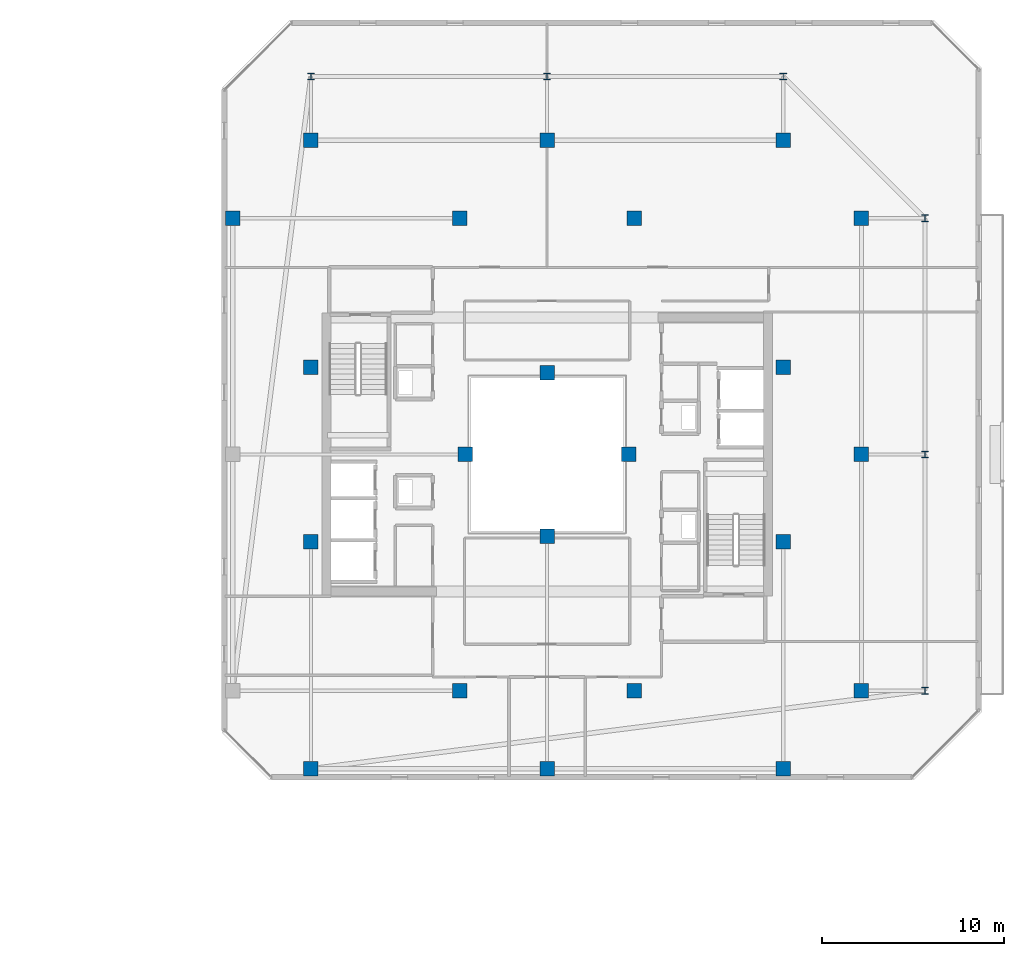
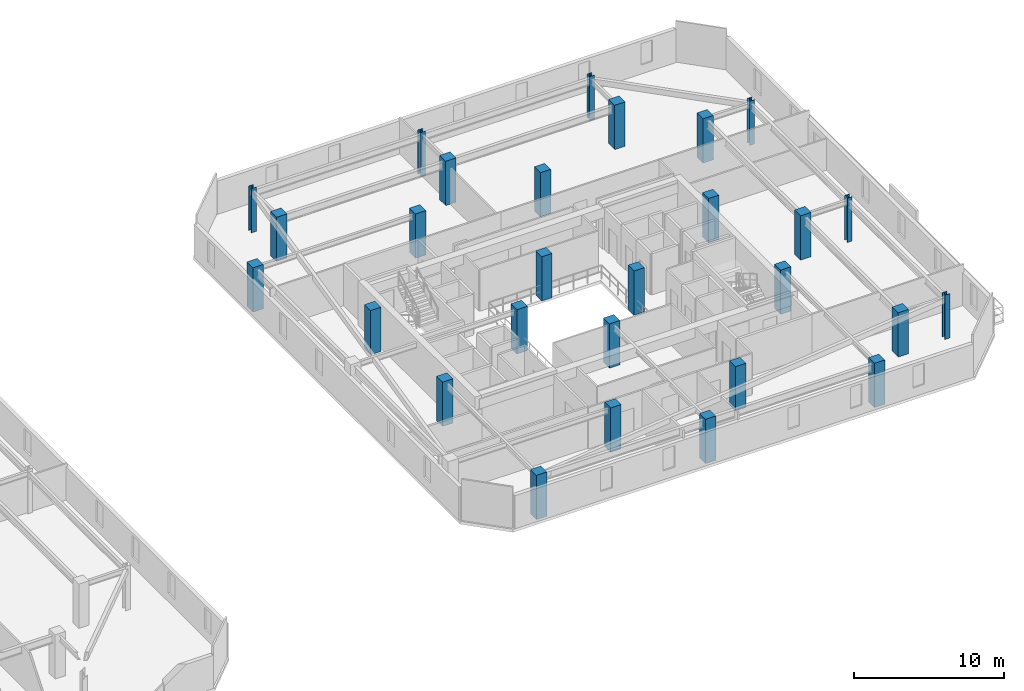
# One storey, part 4 of 34: 28 columns.
"""IFC4 building model written with IfcOpenShell, lengths in metres."""

from ifc_helpers import new_model, si_unit, direction, frame, origin, origin_2d, place, context, subcontext, project, spatial, rectangle, i_section, extrude, material, material_profile, profile_set, type_object, element, save


model = new_model("IFC4")

# Units and contexts
model_context = context("Model", 3, precision=1e-05, world=origin(), true_north=direction((0.0, 1.0)))
body_context = subcontext(model_context, "Body", "Model", "MODEL_VIEW")
ifc_project = project(units=[si_unit("LENGTHUNIT", "METRE"), si_unit("AREAUNIT", "SQUARE_METRE"), si_unit("VOLUMEUNIT", "CUBIC_METRE"), si_unit("PLANEANGLEUNIT", "RADIAN"), si_unit("MASSUNIT", "GRAM", prefix="KILO")], contexts=[model_context])

# Site, building, storey
site_placement = place(None, origin())
site = spatial("IfcSite", under=ifc_project, at=site_placement, CompositionType="ELEMENT")
building_placement = place(site_placement, origin())
building = spatial("IfcBuilding", under=site, at=building_placement, Name="Thornwick Lancets Civic Towers", CompositionType="ELEMENT")
storey_placement = place(building_placement, frame((0.0, 0.0, 261.89990234375)))
storey = spatial("IfcBuildingStorey", under=building, at=storey_placement, Name="L70", CompositionType="ELEMENT", Elevation=261.89990234375)

# Columns
ifc_material_1 = material(Name="Concrete C50/60", Category="concrete")
ifc_material_profile_1 = material_profile(ifc_material_1, rectangle(XDim=0.800048828125, YDim=0.800048828125, at=origin_2d()), Name="RC 800x800")
ifc_profile_set_1 = profile_set([ifc_material_profile_1], Name="Concrete C50/60")
column_type_1 = type_object("IfcColumnType", Name="COL_RC_800", PredefinedType="COLUMN", material=ifc_profile_set_1)
for number, where, z_axis, x_axis, name in (
    (1, (105.800048828125, 14.0, 0.0), (0.0, 0.0, 1.0), (1.0, 0.0, 0.0), "L70 Spine Mega-Column B01"),
    (2, (105.800048828125, 27.0, 0.0), (0.0, 0.0, 1.0), (1.0, 0.0, 0.0), "L70 Spine Mega-Column B02"),
    (3, (105.800048828125, 40.0, 0.0), (0.0, 0.0, 1.0), (1.0, 0.0, 0.0), "L70 Spine Mega-Column B03"),
    (4, (101.5, 44.300048828125, 0.0), (0.0, 0.0, 1.0), (1.0, 0.0, 0.0), "L70 Spine Mega-Column B04"),
    (5, (88.5, 44.300048828125, 0.0), (0.0, 0.0, 1.0), (1.0, 0.0, 0.0), "L70 Spine Mega-Column B05"),
    (6, (75.5, 44.300048828125, 0.0), (0.0, 0.0, 1.0), (1.0, 0.0, 0.0), "L70 Spine Mega-Column B06"),
    (7, (71.199951171875, 40.0, 0.0), (0.0, 0.0, 1.0), (1.0, 0.0, 0.0), "L70 Spine Mega-Column B09"),
    (8, (101.5, 9.699951171875, 0.0), (0.0, 0.0, 1.0), (1.0, 0.0, 0.0), "L70 Spine Mega-Column B10"),
    (9, (88.5, 9.699951171875, 0.0), (0.0, 0.0, 1.0), (1.0, 0.0, 0.0), "L70 Spine Mega-Column B11"),
    (10, (75.5, 9.699951171875, 0.0), (0.0, 0.0, 1.0), (1.0, 0.0, 0.0), "L70 Spine Mega-Column B12"),
    (11, (93.300048828125, 14.0, 0.0), (0.0, 0.0, 1.0), (1.0, 0.0, 0.0), "L70 Spine Mega-Column B13"),
    (12, (93.300048828125, 40.0, 0.0), (0.0, 0.0, 1.0), (1.0, 0.0, 0.0), "L70 Spine Mega-Column B14"),
    (13, (83.699951171875, 14.0, 0.0), (0.0, 0.0, 1.0), (1.0, 0.0, 0.0), "L70 Spine Mega-Column B15"),
    (14, (83.699951171875, 40.0, 0.0), (0.0, 0.0, 1.0), (1.0, 0.0, 0.0), "L70 Spine Mega-Column B16"),
    (15, (101.5, 22.199951171875, 0.0), (0.0, 0.0, 1.0), (1.0, 0.0, 0.0), "L70 Spine Mega-Column B17"),
    (16, (101.5, 31.800048828125, 0.0), (0.0, 0.0, 1.0), (1.0, 0.0, 0.0), "L70 Spine Mega-Column B18"),
    (17, (75.5, 22.199951171875, 0.0), (0.0, 0.0, 1.0), (1.0, 0.0, 0.0), "L70 Spine Mega-Column B19"),
    (18, (75.5, 31.800048828125, 0.0), (0.0, 0.0, 1.0), (1.0, 0.0, 0.0), "L70 Spine Mega-Column B20"),
    (19, (93.0, 27.0, 0.0), (0.0, 0.0, 1.0), (1.0, 0.0, 0.0), "L70 Spine Mega-Column B21"),
    (20, (84.0, 27.0, 0.0), (0.0, 0.0, 1.0), (1.0, 0.0, 0.0), "L70 Spine Mega-Column B22"),
    (21, (88.5, 22.5, 0.0), (0.0, 0.0, 1.0), (1.0, 0.0, 0.0), "L70 Spine Mega-Column B23"),
    (22, (88.5, 31.5, 0.0), (0.0, 0.0, 1.0), (1.0, 0.0, 0.0), "L70 Spine Mega-Column B24"),
):
    element("IfcColumn", number, at=place(storey_placement, frame(where, z_axis=z_axis, x_axis=x_axis)), inside=storey, type_object=column_type_1, Name=name, PredefinedType="COLUMN", context=body_context, shape_type="SweptSolid", body=[
        extrude(rectangle(XDim=0.800048828125, YDim=0.800048828125, at=origin_2d()), origin(), (0.0, 0.0, 1.0), 3.60009765625),
    ])
ifc_material_2 = material(Name="Steel S355JR", Category="steel")
ifc_material_profile_2 = material_profile(ifc_material_2, i_section(OverallWidth=0.374755859375, OverallDepth=0.37451171875, WebThickness=0.0166015625, FlangeThickness=0.027099609375, FilletRadius=0.01513671875, at=origin_2d()), Name="UKC 356x368x202")
ifc_profile_set_2 = profile_set([ifc_material_profile_2], Name="Steel S355JR")
column_type_2 = type_object("IfcColumnType", Name="COL_UKC_202", PredefinedType="COLUMN", material=ifc_profile_set_2)
for number, where, z_axis, x_axis, name in (
    (23, (109.300048828125, 14.0, 0.0), (0.0, 0.0, 1.0), (1.0, 0.0, 0.0), "L70 Block Perimeter Column B01"),
    (24, (109.300048828125, 27.0, 0.0), (0.0, 0.0, 1.0), (1.0, 0.0, 0.0), "L70 Block Perimeter Column B02"),
    (25, (109.300048828125, 40.0, 0.0), (0.0, 0.0, 1.0), (1.0, 0.0, 0.0), "L70 Block Perimeter Column B03"),
    (26, (101.5, 47.800048828125, 0.0), (0.0, 0.0, 1.0), (1.0, 0.0, 0.0), "L70 Block Perimeter Column B04"),
    (27, (88.5, 47.800048828125, 0.0), (0.0, 0.0, 1.0), (1.0, 0.0, 0.0), "L70 Block Perimeter Column B05"),
    (28, (75.5, 47.800048828125, 0.0), (0.0, 0.0, 1.0), (1.0, 0.0, 0.0), "L70 Block Perimeter Column B06"),
):
    element("IfcColumn", number, at=place(storey_placement, frame(where, z_axis=z_axis, x_axis=x_axis)), inside=storey, type_object=column_type_2, Name=name, PredefinedType="COLUMN", context=body_context, shape_type="SweptSolid", body=[
        extrude(i_section(OverallWidth=0.374755859375, OverallDepth=0.37451171875, WebThickness=0.0166015625, FlangeThickness=0.027099609375, FilletRadius=0.01513671875, at=origin_2d()), origin(), (0.0, 0.0, 1.0), 3.60009765625),
    ])

save(model, "model.ifc")
